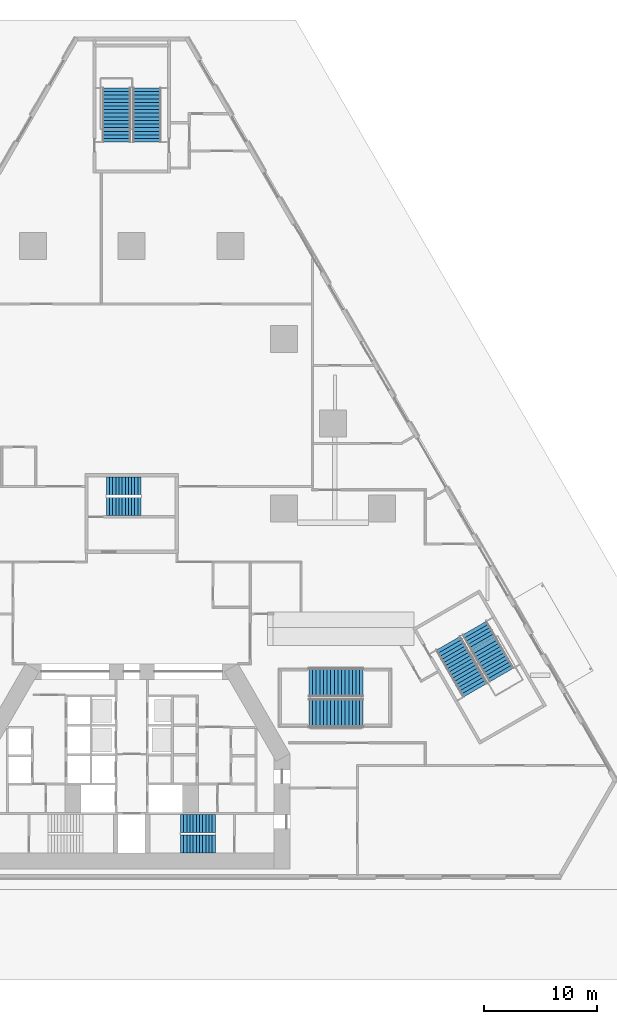
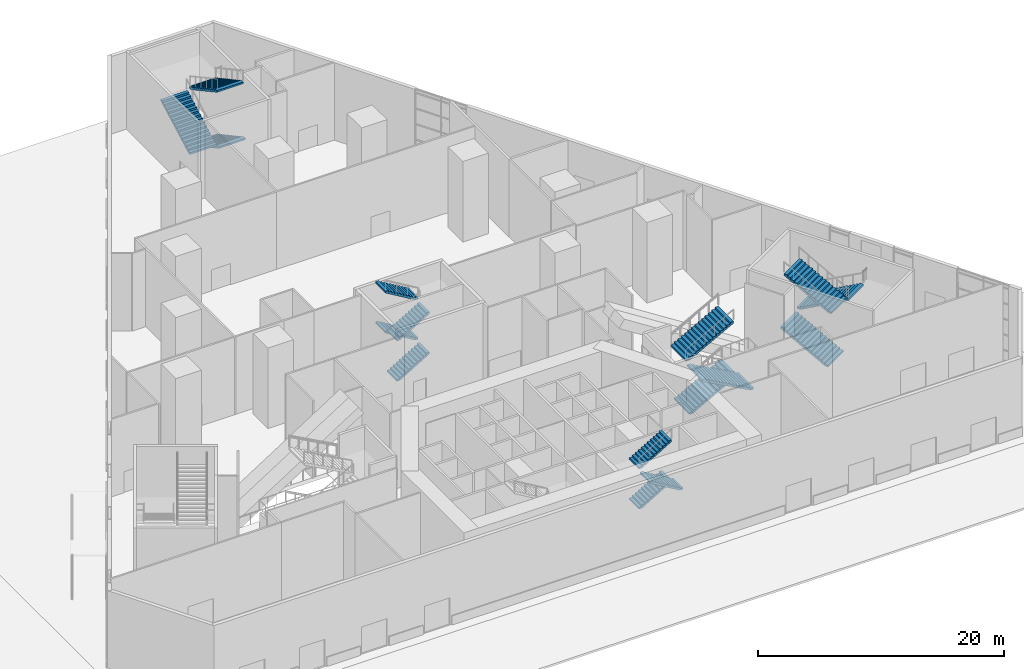
# One storey, part 19 of 24: 16 stair flights, 5 elements without a shape of their own.
"""IFC4 building model written with IfcOpenShell, lengths in metres."""

from ifc_helpers import new_model, si_unit, direction, frame, origin, place, context, subcontext, project, spatial, polyline, outline, extrude, material, type_object, element, aggregate, save


model = new_model("IFC4")

# Units and contexts
model_context = context("Model", 3, precision=1e-05, world=origin(), true_north=direction((0.0, 1.0)))
body_context = subcontext(model_context, "Body", "Model", "MODEL_VIEW")
ifc_project = project(units=[si_unit("LENGTHUNIT", "METRE"), si_unit("AREAUNIT", "SQUARE_METRE"), si_unit("VOLUMEUNIT", "CUBIC_METRE"), si_unit("PLANEANGLEUNIT", "RADIAN"), si_unit("MASSUNIT", "GRAM", prefix="KILO")], contexts=[model_context])

# Site, building, storey
site_placement = place(None, origin())
site = spatial("IfcSite", under=ifc_project, at=site_placement, CompositionType="ELEMENT")
building_placement = place(site_placement, origin())
building = spatial("IfcBuilding", under=site, at=building_placement, Name="Fogline Exchange Tower", CompositionType="ELEMENT")
storey_placement = place(building_placement, origin())
storey = spatial("IfcBuildingStorey", under=building, at=storey_placement, Name="L00", CompositionType="ELEMENT", Elevation=0.0)

# Stair, stair flights
ifc_material = material(Name="Concrete C40", Category="concrete")
stair_type_1 = type_object("IfcStairType", Name="PSF0-46-1739", PredefinedType="HALF_TURN_STAIR", material=ifc_material)
stair_1_placement = place(storey_placement, origin())
stair_1 = element("IfcStair", 1, at=stair_1_placement, inside=storey, type_object=stair_type_1, Name="Stair ST5", PredefinedType="HALF_TURN_STAIR")
stair_flight_type_1 = type_object("IfcStairFlightType", Name="PSF1-15-1739", PredefinedType="STRAIGHT", material=ifc_material)
stair_flight_1_placement = place(storey_placement, frame((30.265869140625, 16.937255859375, 0.0), z_axis=(0.0, 0.0, 1.0), x_axis=(-0.49997940255, 0.866037295401, 0.0)))
stair_flight_1 = element("IfcStairFlight", 2, at=stair_flight_1_placement, type_object=stair_flight_type_1, Name="ST5 flight 1", NumberOfRisers=15, NumberOfTreads=14, PredefinedType="STRAIGHT", RiserHeight=0.173913043, TreadLength=0.32, context=body_context, shape_type="SweptSolid", body=[
    extrude(outline(polyline([(0.0, 0.0), (0.0, 0.173828125), (0.320068359375, 0.173828125), (0.320068359375, 0.347900390625), (0.639892578125, 0.347900390625), (0.639892578125, 0.521728515625), (0.9599609375, 0.521728515625), (0.9599609375, 0.695556640625), (1.280029296875, 0.695556640625), (1.280029296875, 0.86962890625), (1.60009765625, 0.86962890625), (1.60009765625, 1.04345703125), (1.919921875, 1.04345703125), (1.919921875, 1.21728515625), (2.239990234375, 1.21728515625), (2.239990234375, 1.391357421875), (2.56005859375, 1.391357421875), (2.56005859375, 1.565185546875), (2.8798828125, 1.565185546875), (2.8798828125, 1.739013671875), (3.199951171875, 1.739013671875), (3.199951171875, 1.9130859375), (3.52001953125, 1.9130859375), (3.52001953125, 2.0869140625), (3.840087890625, 2.0869140625), (3.840087890625, 2.260986328125), (4.159912109375, 2.260986328125), (4.159912109375, 2.434814453125), (4.47998046875, 2.434814453125), (4.47998046875, 2.608642578125), (4.47998046875, 2.26416015625), (0.31396484375, 0.0), (0.0, 0.0)])), frame((0.0, 1.25, 0.0), z_axis=(0.0, -1.0, 0.0), x_axis=(1.0, 0.0, 0.0)), (0.0, 0.0, 1.0), 2.5),
])
stair_flight_2_placement = place(storey_placement, frame((30.42578125, 16.66015625, 5.391357421875), z_axis=(0.0, 0.0, 1.0), x_axis=(-0.49997940255, 0.866037295401, 0.0)))
stair_flight_2 = element("IfcStairFlight", 3, at=stair_flight_2_placement, type_object=stair_flight_type_1, Name="ST5 flight 3", NumberOfRisers=15, NumberOfTreads=14, PredefinedType="STRAIGHT", RiserHeight=0.173913043, TreadLength=0.32, context=body_context, shape_type="SweptSolid", body=[
    extrude(outline(polyline([(0.0, 0.0), (0.0, 0.173828125), (0.320068359375, 0.173828125), (0.320068359375, 0.347900390625), (0.639892578125, 0.347900390625), (0.639892578125, 0.521728515625), (0.9599609375, 0.521728515625), (0.9599609375, 0.695556640625), (1.280029296875, 0.695556640625), (1.280029296875, 0.86962890625), (1.60009765625, 0.86962890625), (1.60009765625, 1.04345703125), (1.919921875, 1.04345703125), (1.919921875, 1.21728515625), (2.239990234375, 1.21728515625), (2.239990234375, 1.391357421875), (2.56005859375, 1.391357421875), (2.56005859375, 1.565185546875), (2.8798828125, 1.565185546875), (2.8798828125, 1.739013671875), (3.199951171875, 1.739013671875), (3.199951171875, 1.9130859375), (3.52001953125, 1.9130859375), (3.52001953125, 2.0869140625), (3.840087890625, 2.0869140625), (3.840087890625, 2.260986328125), (4.159912109375, 2.260986328125), (4.159912109375, 2.434814453125), (4.47998046875, 2.434814453125), (4.47998046875, 2.608642578125), (4.47998046875, 2.26416015625), (0.31396484375, 0.0), (0.0, 0.0)])), frame((0.0, 1.25, 0.0), z_axis=(0.0, -1.0, 0.0), x_axis=(1.0, 0.0, 0.0)), (0.0, 0.0, 1.0), 2.5),
])

stair_2_placement = place(storey_placement, origin())
stair_2 = element("IfcStair", 4, at=stair_2_placement, inside=storey, type_object=stair_type_1, Name="Stair ST6", PredefinedType="HALF_TURN_STAIR")
stair_flight_3_placement = place(storey_placement, frame((1.35009765625, 69.6650390625, 0.0), z_axis=(0.0, 0.0, 1.0), x_axis=(0.0, -1.0, 0.0)))
stair_flight_3 = element("IfcStairFlight", 5, at=stair_flight_3_placement, type_object=stair_flight_type_1, Name="ST6 flight 1", NumberOfRisers=15, NumberOfTreads=14, PredefinedType="STRAIGHT", RiserHeight=0.173913043, TreadLength=0.32, context=body_context, shape_type="SweptSolid", body=[
    extrude(outline(polyline([(0.0, 0.0), (0.0, 0.173828125), (0.320068359375, 0.173828125), (0.320068359375, 0.347900390625), (0.639892578125, 0.347900390625), (0.639892578125, 0.521728515625), (0.9599609375, 0.521728515625), (0.9599609375, 0.695556640625), (1.280029296875, 0.695556640625), (1.280029296875, 0.86962890625), (1.60009765625, 0.86962890625), (1.60009765625, 1.04345703125), (1.919921875, 1.04345703125), (1.919921875, 1.21728515625), (2.239990234375, 1.21728515625), (2.239990234375, 1.391357421875), (2.56005859375, 1.391357421875), (2.56005859375, 1.565185546875), (2.8798828125, 1.565185546875), (2.8798828125, 1.739013671875), (3.199951171875, 1.739013671875), (3.199951171875, 1.9130859375), (3.52001953125, 1.9130859375), (3.52001953125, 2.0869140625), (3.840087890625, 2.0869140625), (3.840087890625, 2.260986328125), (4.159912109375, 2.260986328125), (4.159912109375, 2.434814453125), (4.47998046875, 2.434814453125), (4.47998046875, 2.608642578125), (4.47998046875, 2.26416015625), (0.31396484375, 0.0), (0.0, 0.0)])), frame((0.0, 1.25, 0.0), z_axis=(0.0, -1.0, 0.0), x_axis=(1.0, 0.0, 0.0)), (0.0, 0.0, 1.0), 2.5),
])
stair_flight_4_placement = place(storey_placement, frame((1.35009765625, 69.985107421875, 5.391357421875), z_axis=(0.0, 0.0, 1.0), x_axis=(0.0, -1.0, 0.0)))
stair_flight_4 = element("IfcStairFlight", 6, at=stair_flight_4_placement, type_object=stair_flight_type_1, Name="ST6 flight 3", NumberOfRisers=15, NumberOfTreads=14, PredefinedType="STRAIGHT", RiserHeight=0.173913043, TreadLength=0.32, context=body_context, shape_type="SweptSolid", body=[
    extrude(outline(polyline([(0.0, 0.0), (0.0, 0.173828125), (0.320068359375, 0.173828125), (0.320068359375, 0.347900390625), (0.639892578125, 0.347900390625), (0.639892578125, 0.521728515625), (0.9599609375, 0.521728515625), (0.9599609375, 0.695556640625), (1.280029296875, 0.695556640625), (1.280029296875, 0.86962890625), (1.60009765625, 0.86962890625), (1.60009765625, 1.04345703125), (1.919921875, 1.04345703125), (1.919921875, 1.21728515625), (2.239990234375, 1.21728515625), (2.239990234375, 1.391357421875), (2.56005859375, 1.391357421875), (2.56005859375, 1.565185546875), (2.8798828125, 1.565185546875), (2.8798828125, 1.739013671875), (3.199951171875, 1.739013671875), (3.199951171875, 1.9130859375), (3.52001953125, 1.9130859375), (3.52001953125, 2.0869140625), (3.840087890625, 2.0869140625), (3.840087890625, 2.260986328125), (4.159912109375, 2.260986328125), (4.159912109375, 2.434814453125), (4.47998046875, 2.434814453125), (4.47998046875, 2.608642578125), (4.47998046875, 2.26416015625), (0.31396484375, 0.0), (0.0, 0.0)])), frame((0.0, 1.25, 0.0), z_axis=(0.0, -1.0, 0.0), x_axis=(1.0, 0.0, 0.0)), (0.0, 0.0, 1.0), 2.5),
])

stair_3_placement = place(storey_placement, origin())
stair_3 = element("IfcStair", 7, at=stair_3_placement, inside=storey, type_object=stair_type_1, Name="Public stair PS2", PredefinedType="HALF_TURN_STAIR")
stair_flight_5_placement = place(storey_placement, frame((16.02001953125, 17.35009765625, 0.0), z_axis=(0.0, 0.0, 1.0), x_axis=(1.0, 0.0, 0.0)))
stair_flight_5 = element("IfcStairFlight", 8, at=stair_flight_5_placement, type_object=stair_flight_type_1, Name="PS2 flight 1", NumberOfRisers=15, NumberOfTreads=14, PredefinedType="STRAIGHT", RiserHeight=0.173913043, TreadLength=0.32, context=body_context, shape_type="SweptSolid", body=[
    extrude(outline(polyline([(0.0, 0.0), (0.0, 0.173828125), (0.320068359375, 0.173828125), (0.320068359375, 0.347900390625), (0.639892578125, 0.347900390625), (0.639892578125, 0.521728515625), (0.9599609375, 0.521728515625), (0.9599609375, 0.695556640625), (1.280029296875, 0.695556640625), (1.280029296875, 0.86962890625), (1.60009765625, 0.86962890625), (1.60009765625, 1.04345703125), (1.919921875, 1.04345703125), (1.919921875, 1.21728515625), (2.239990234375, 1.21728515625), (2.239990234375, 1.391357421875), (2.56005859375, 1.391357421875), (2.56005859375, 1.565185546875), (2.8798828125, 1.565185546875), (2.8798828125, 1.739013671875), (3.199951171875, 1.739013671875), (3.199951171875, 1.9130859375), (3.52001953125, 1.9130859375), (3.52001953125, 2.0869140625), (3.840087890625, 2.0869140625), (3.840087890625, 2.260986328125), (4.159912109375, 2.260986328125), (4.159912109375, 2.434814453125), (4.47998046875, 2.434814453125), (4.47998046875, 2.608642578125), (4.47998046875, 2.26416015625), (0.31396484375, 0.0), (0.0, 0.0)])), frame((0.0, 1.25, 0.0), z_axis=(0.0, -1.0, 0.0), x_axis=(1.0, 0.0, 0.0)), (0.0, 0.0, 1.0), 2.5),
])
stair_flight_6_placement = place(storey_placement, frame((15.699951171875, 17.35009765625, 5.391357421875), z_axis=(0.0, 0.0, 1.0), x_axis=(1.0, 0.0, 0.0)))
stair_flight_6 = element("IfcStairFlight", 9, at=stair_flight_6_placement, type_object=stair_flight_type_1, Name="PS2 flight 3", NumberOfRisers=15, NumberOfTreads=14, PredefinedType="STRAIGHT", RiserHeight=0.173913043, TreadLength=0.32, context=body_context, shape_type="SweptSolid", body=[
    extrude(outline(polyline([(0.0, 0.0), (0.0, 0.173828125), (0.320068359375, 0.173828125), (0.320068359375, 0.347900390625), (0.639892578125, 0.347900390625), (0.639892578125, 0.521728515625), (0.9599609375, 0.521728515625), (0.9599609375, 0.695556640625), (1.280029296875, 0.695556640625), (1.280029296875, 0.86962890625), (1.60009765625, 0.86962890625), (1.60009765625, 1.04345703125), (1.919921875, 1.04345703125), (1.919921875, 1.21728515625), (2.239990234375, 1.21728515625), (2.239990234375, 1.391357421875), (2.56005859375, 1.391357421875), (2.56005859375, 1.565185546875), (2.8798828125, 1.565185546875), (2.8798828125, 1.739013671875), (3.199951171875, 1.739013671875), (3.199951171875, 1.9130859375), (3.52001953125, 1.9130859375), (3.52001953125, 2.0869140625), (3.840087890625, 2.0869140625), (3.840087890625, 2.260986328125), (4.159912109375, 2.260986328125), (4.159912109375, 2.434814453125), (4.47998046875, 2.434814453125), (4.47998046875, 2.608642578125), (4.47998046875, 2.26416015625), (0.31396484375, 0.0), (0.0, 0.0)])), frame((0.0, 1.25, 0.0), z_axis=(0.0, -1.0, 0.0), x_axis=(1.0, 0.0, 0.0)), (0.0, 0.0, 1.0), 2.5),
])

# Stair flight
stair_flight_type_2 = type_object("IfcStairFlightType", Name="PSF1-16-1739", PredefinedType="STRAIGHT", material=ifc_material)
stair_flight_7_placement = place(storey_placement, frame((30.3642578125, 22.1669921875, 2.608642578125), z_axis=(0.0, 0.0, 1.0), x_axis=(0.49997940255, -0.866037295401, 0.0)))
stair_flight_7 = element("IfcStairFlight", 10, at=stair_flight_7_placement, type_object=stair_flight_type_2, Name="ST5 flight 2", NumberOfRisers=16, NumberOfTreads=15, PredefinedType="STRAIGHT", RiserHeight=0.173913043, TreadLength=0.32, context=body_context, shape_type="SweptSolid", body=[
    extrude(outline(polyline([(0.0, 0.0), (0.0, 0.173828125), (0.320068359375, 0.173828125), (0.320068359375, 0.347900390625), (0.639892578125, 0.347900390625), (0.639892578125, 0.521728515625), (0.9599609375, 0.521728515625), (0.9599609375, 0.695556640625), (1.280029296875, 0.695556640625), (1.280029296875, 0.86962890625), (1.60009765625, 0.86962890625), (1.60009765625, 1.04345703125), (1.919921875, 1.04345703125), (1.919921875, 1.21728515625), (2.239990234375, 1.21728515625), (2.239990234375, 1.391357421875), (2.56005859375, 1.391357421875), (2.56005859375, 1.565185546875), (2.8798828125, 1.565185546875), (2.8798828125, 1.739013671875), (3.199951171875, 1.739013671875), (3.199951171875, 1.9130859375), (3.52001953125, 1.9130859375), (3.52001953125, 2.0869140625), (3.840087890625, 2.0869140625), (3.840087890625, 2.260986328125), (4.159912109375, 2.260986328125), (4.159912109375, 2.434814453125), (4.47998046875, 2.434814453125), (4.47998046875, 2.608642578125), (4.800048828125, 2.608642578125), (4.800048828125, 2.78271484375), (4.800048828125, 2.43798828125), (0.31396484375, 0.0), (0.0, 0.0)])), frame((0.0, 1.25, 0.0), z_axis=(0.0, -1.0, 0.0), x_axis=(1.0, 0.0, 0.0)), (0.0, 0.0, 1.0), 2.5),
])

aggregate(stair_1, [stair_flight_1, stair_flight_7, stair_flight_2])

stair_flight_8_placement = place(storey_placement, frame((-1.35009765625, 65.18505859375, 2.608642578125), z_axis=(0.0, 0.0, 1.0), x_axis=(0.0, 1.0, 0.0)))
stair_flight_8 = element("IfcStairFlight", 11, at=stair_flight_8_placement, type_object=stair_flight_type_2, Name="ST6 flight 2", NumberOfRisers=16, NumberOfTreads=15, PredefinedType="STRAIGHT", RiserHeight=0.173913043, TreadLength=0.32, context=body_context, shape_type="SweptSolid", body=[
    extrude(outline(polyline([(0.0, 0.0), (0.0, 0.173828125), (0.320068359375, 0.173828125), (0.320068359375, 0.347900390625), (0.639892578125, 0.347900390625), (0.639892578125, 0.521728515625), (0.9599609375, 0.521728515625), (0.9599609375, 0.695556640625), (1.280029296875, 0.695556640625), (1.280029296875, 0.86962890625), (1.60009765625, 0.86962890625), (1.60009765625, 1.04345703125), (1.919921875, 1.04345703125), (1.919921875, 1.21728515625), (2.239990234375, 1.21728515625), (2.239990234375, 1.391357421875), (2.56005859375, 1.391357421875), (2.56005859375, 1.565185546875), (2.8798828125, 1.565185546875), (2.8798828125, 1.739013671875), (3.199951171875, 1.739013671875), (3.199951171875, 1.9130859375), (3.52001953125, 1.9130859375), (3.52001953125, 2.0869140625), (3.840087890625, 2.0869140625), (3.840087890625, 2.260986328125), (4.159912109375, 2.260986328125), (4.159912109375, 2.434814453125), (4.47998046875, 2.434814453125), (4.47998046875, 2.608642578125), (4.800048828125, 2.608642578125), (4.800048828125, 2.78271484375), (4.800048828125, 2.43798828125), (0.31396484375, 0.0), (0.0, 0.0)])), frame((0.0, 1.25, 0.0), z_axis=(0.0, -1.0, 0.0), x_axis=(1.0, 0.0, 0.0)), (0.0, 0.0, 1.0), 2.5),
])

aggregate(stair_2, [stair_flight_3, stair_flight_8, stair_flight_4])

stair_flight_9_placement = place(storey_placement, frame((20.5, 14.64990234375, 2.608642578125), z_axis=(0.0, 0.0, 1.0), x_axis=(-1.0, 0.0, 0.0)))
stair_flight_9 = element("IfcStairFlight", 12, at=stair_flight_9_placement, type_object=stair_flight_type_2, Name="PS2 flight 2", NumberOfRisers=16, NumberOfTreads=15, PredefinedType="STRAIGHT", RiserHeight=0.173913043, TreadLength=0.32, context=body_context, shape_type="SweptSolid", body=[
    extrude(outline(polyline([(0.0, 0.0), (0.0, 0.173828125), (0.320068359375, 0.173828125), (0.320068359375, 0.347900390625), (0.639892578125, 0.347900390625), (0.639892578125, 0.521728515625), (0.9599609375, 0.521728515625), (0.9599609375, 0.695556640625), (1.280029296875, 0.695556640625), (1.280029296875, 0.86962890625), (1.60009765625, 0.86962890625), (1.60009765625, 1.04345703125), (1.919921875, 1.04345703125), (1.919921875, 1.21728515625), (2.239990234375, 1.21728515625), (2.239990234375, 1.391357421875), (2.56005859375, 1.391357421875), (2.56005859375, 1.565185546875), (2.8798828125, 1.565185546875), (2.8798828125, 1.739013671875), (3.199951171875, 1.739013671875), (3.199951171875, 1.9130859375), (3.52001953125, 1.9130859375), (3.52001953125, 2.0869140625), (3.840087890625, 2.0869140625), (3.840087890625, 2.260986328125), (4.159912109375, 2.260986328125), (4.159912109375, 2.434814453125), (4.47998046875, 2.434814453125), (4.47998046875, 2.608642578125), (4.800048828125, 2.608642578125), (4.800048828125, 2.78271484375), (4.800048828125, 2.43798828125), (0.31396484375, 0.0), (0.0, 0.0)])), frame((0.0, 1.25, 0.0), z_axis=(0.0, -1.0, 0.0), x_axis=(1.0, 0.0, 0.0)), (0.0, 0.0, 1.0), 2.5),
])

aggregate(stair_3, [stair_flight_5, stair_flight_9, stair_flight_6])

# Stair, stair flights
stair_type_2 = type_object("IfcStairType", Name="STR48-1667", PredefinedType="HALF_TURN_STAIR", material=ifc_material)
stair_4_placement = place(storey_placement, origin())
stair_4 = element("IfcStair", 13, at=stair_4_placement, inside=storey, type_object=stair_type_2, Name="Stair ST2", PredefinedType="HALF_TURN_STAIR")
stair_flight_type_3 = type_object("IfcStairFlightType", Name="SF12-1667", PredefinedType="STRAIGHT", material=ifc_material)
stair_flight_10_placement = place(storey_placement, frame((4.320068359375, 4.85009765625, 2.0), z_axis=(0.0, 0.0, 1.0), x_axis=(1.0, 0.0, 0.0)))
stair_flight_10 = element("IfcStairFlight", 14, at=stair_flight_10_placement, type_object=stair_flight_type_3, Name="ST2 flight 2", NumberOfRisers=12, NumberOfTreads=11, PredefinedType="STRAIGHT", RiserHeight=0.166666667, TreadLength=0.28, context=body_context, shape_type="SweptSolid", body=[
    extrude(outline(polyline([(0.0, 0.0), (0.0, 0.166748046875), (0.280029296875, 0.166748046875), (0.280029296875, 0.333251953125), (0.56005859375, 0.333251953125), (0.56005859375, 0.5), (0.840087890625, 0.5), (0.840087890625, 0.666748046875), (1.1201171875, 0.666748046875), (1.1201171875, 0.833251953125), (1.39990234375, 0.833251953125), (1.39990234375, 1.0), (1.679931640625, 1.0), (1.679931640625, 1.166748046875), (1.9599609375, 1.166748046875), (1.9599609375, 1.333251953125), (2.239990234375, 1.333251953125), (2.239990234375, 1.5), (2.52001953125, 1.5), (2.52001953125, 1.666748046875), (2.800048828125, 1.666748046875), (2.800048828125, 1.833251953125), (3.080078125, 1.833251953125), (3.080078125, 2.0), (3.080078125, 1.658935546875), (0.29296875, 0.0), (0.0, 0.0)])), frame((0.0, 0.800048828125, 0.0), z_axis=(0.0, -1.0, 0.0), x_axis=(1.0, 0.0, 0.0)), (0.0, 0.0, 1.0), 1.60009765625),
])
stair_flight_11_placement = place(storey_placement, frame((7.39990234375, 3.050048828125, 4.0), z_axis=(0.0, 0.0, 1.0), x_axis=(-1.0, 0.0, 0.0)))
stair_flight_11 = element("IfcStairFlight", 15, at=stair_flight_11_placement, type_object=stair_flight_type_3, Name="ST2 flight 3", NumberOfRisers=12, NumberOfTreads=11, PredefinedType="STRAIGHT", RiserHeight=0.166666667, TreadLength=0.28, context=body_context, shape_type="SweptSolid", body=[
    extrude(outline(polyline([(0.0, 0.0), (0.0, 0.166748046875), (0.280029296875, 0.166748046875), (0.280029296875, 0.333251953125), (0.56005859375, 0.333251953125), (0.56005859375, 0.5), (0.840087890625, 0.5), (0.840087890625, 0.666748046875), (1.1201171875, 0.666748046875), (1.1201171875, 0.833251953125), (1.39990234375, 0.833251953125), (1.39990234375, 1.0), (1.679931640625, 1.0), (1.679931640625, 1.166748046875), (1.9599609375, 1.166748046875), (1.9599609375, 1.333251953125), (2.239990234375, 1.333251953125), (2.239990234375, 1.5), (2.52001953125, 1.5), (2.52001953125, 1.666748046875), (2.800048828125, 1.666748046875), (2.800048828125, 1.833251953125), (3.080078125, 1.833251953125), (3.080078125, 2.0), (3.080078125, 1.658935546875), (0.29296875, 0.0), (0.0, 0.0)])), frame((0.0, 0.800048828125, 0.0), z_axis=(0.0, -1.0, 0.0), x_axis=(1.0, 0.0, 0.0)), (0.0, 0.0, 1.0), 1.60009765625),
])
stair_flight_12_placement = place(storey_placement, frame((4.320068359375, 4.85009765625, 6.0), z_axis=(0.0, 0.0, 1.0), x_axis=(1.0, 0.0, 0.0)))
stair_flight_12 = element("IfcStairFlight", 16, at=stair_flight_12_placement, type_object=stair_flight_type_3, Name="ST2 flight 4", NumberOfRisers=12, NumberOfTreads=11, PredefinedType="STRAIGHT", RiserHeight=0.166666667, TreadLength=0.28, context=body_context, shape_type="SweptSolid", body=[
    extrude(outline(polyline([(0.0, 0.0), (0.0, 0.166748046875), (0.280029296875, 0.166748046875), (0.280029296875, 0.333251953125), (0.56005859375, 0.333251953125), (0.56005859375, 0.5), (0.840087890625, 0.5), (0.840087890625, 0.666748046875), (1.1201171875, 0.666748046875), (1.1201171875, 0.833251953125), (1.39990234375, 0.833251953125), (1.39990234375, 1.0), (1.679931640625, 1.0), (1.679931640625, 1.166748046875), (1.9599609375, 1.166748046875), (1.9599609375, 1.333251953125), (2.239990234375, 1.333251953125), (2.239990234375, 1.5), (2.52001953125, 1.5), (2.52001953125, 1.666748046875), (2.800048828125, 1.666748046875), (2.800048828125, 1.833251953125), (3.080078125, 1.833251953125), (3.080078125, 2.0), (3.080078125, 1.658935546875), (0.29296875, 0.0), (0.0, 0.0)])), frame((0.0, 0.800048828125, 0.0), z_axis=(0.0, -1.0, 0.0), x_axis=(1.0, 0.0, 0.0)), (0.0, 0.0, 1.0), 1.60009765625),
])
aggregate(stair_4, [stair_flight_10, stair_flight_11, stair_flight_12])

stair_5_placement = place(storey_placement, origin())
stair_5 = element("IfcStair", 17, at=stair_5_placement, inside=storey, type_object=stair_type_2, Name="Stair ST3", PredefinedType="HALF_TURN_STAIR")
stair_flight_13_placement = place(storey_placement, frame((-2.25, 32.906982421875, 0.0), z_axis=(0.0, 0.0, 1.0), x_axis=(1.0, 0.0, 0.0)))
stair_flight_13 = element("IfcStairFlight", 18, at=stair_flight_13_placement, type_object=stair_flight_type_3, Name="ST3 flight 1", NumberOfRisers=12, NumberOfTreads=11, PredefinedType="STRAIGHT", RiserHeight=0.166666667, TreadLength=0.28, context=body_context, shape_type="SweptSolid", body=[
    extrude(outline(polyline([(0.0, 0.0), (0.0, 0.166748046875), (0.280029296875, 0.166748046875), (0.280029296875, 0.333251953125), (0.56005859375, 0.333251953125), (0.56005859375, 0.5), (0.840087890625, 0.5), (0.840087890625, 0.666748046875), (1.1201171875, 0.666748046875), (1.1201171875, 0.833251953125), (1.39990234375, 0.833251953125), (1.39990234375, 1.0), (1.679931640625, 1.0), (1.679931640625, 1.166748046875), (1.9599609375, 1.166748046875), (1.9599609375, 1.333251953125), (2.239990234375, 1.333251953125), (2.239990234375, 1.5), (2.52001953125, 1.5), (2.52001953125, 1.666748046875), (2.800048828125, 1.666748046875), (2.800048828125, 1.833251953125), (3.080078125, 1.833251953125), (3.080078125, 2.0), (3.080078125, 1.658935546875), (0.29296875, 0.0), (0.0, 0.0)])), frame((0.0, 0.800048828125, 0.0), z_axis=(0.0, -1.0, 0.0), x_axis=(1.0, 0.0, 0.0)), (0.0, 0.0, 1.0), 1.60009765625),
])
stair_flight_14_placement = place(storey_placement, frame((0.830078125, 34.757080078125, 2.0), z_axis=(0.0, 0.0, 1.0), x_axis=(-1.0, 0.0, 0.0)))
stair_flight_14 = element("IfcStairFlight", 19, at=stair_flight_14_placement, type_object=stair_flight_type_3, Name="ST3 flight 2", NumberOfRisers=12, NumberOfTreads=11, PredefinedType="STRAIGHT", RiserHeight=0.166666667, TreadLength=0.28, context=body_context, shape_type="SweptSolid", body=[
    extrude(outline(polyline([(0.0, 0.0), (0.0, 0.166748046875), (0.280029296875, 0.166748046875), (0.280029296875, 0.333251953125), (0.56005859375, 0.333251953125), (0.56005859375, 0.5), (0.840087890625, 0.5), (0.840087890625, 0.666748046875), (1.1201171875, 0.666748046875), (1.1201171875, 0.833251953125), (1.39990234375, 0.833251953125), (1.39990234375, 1.0), (1.679931640625, 1.0), (1.679931640625, 1.166748046875), (1.9599609375, 1.166748046875), (1.9599609375, 1.333251953125), (2.239990234375, 1.333251953125), (2.239990234375, 1.5), (2.52001953125, 1.5), (2.52001953125, 1.666748046875), (2.800048828125, 1.666748046875), (2.800048828125, 1.833251953125), (3.080078125, 1.833251953125), (3.080078125, 2.0), (3.080078125, 1.658935546875), (0.29296875, 0.0), (0.0, 0.0)])), frame((0.0, 0.800048828125, 0.0), z_axis=(0.0, -1.0, 0.0), x_axis=(1.0, 0.0, 0.0)), (0.0, 0.0, 1.0), 1.60009765625),
])
stair_flight_15_placement = place(storey_placement, frame((-2.25, 32.906982421875, 4.0), z_axis=(0.0, 0.0, 1.0), x_axis=(1.0, 0.0, 0.0)))
stair_flight_15 = element("IfcStairFlight", 20, at=stair_flight_15_placement, type_object=stair_flight_type_3, Name="ST3 flight 3", NumberOfRisers=12, NumberOfTreads=11, PredefinedType="STRAIGHT", RiserHeight=0.166666667, TreadLength=0.28, context=body_context, shape_type="SweptSolid", body=[
    extrude(outline(polyline([(0.0, 0.0), (0.0, 0.166748046875), (0.280029296875, 0.166748046875), (0.280029296875, 0.333251953125), (0.56005859375, 0.333251953125), (0.56005859375, 0.5), (0.840087890625, 0.5), (0.840087890625, 0.666748046875), (1.1201171875, 0.666748046875), (1.1201171875, 0.833251953125), (1.39990234375, 0.833251953125), (1.39990234375, 1.0), (1.679931640625, 1.0), (1.679931640625, 1.166748046875), (1.9599609375, 1.166748046875), (1.9599609375, 1.333251953125), (2.239990234375, 1.333251953125), (2.239990234375, 1.5), (2.52001953125, 1.5), (2.52001953125, 1.666748046875), (2.800048828125, 1.666748046875), (2.800048828125, 1.833251953125), (3.080078125, 1.833251953125), (3.080078125, 2.0), (3.080078125, 1.658935546875), (0.29296875, 0.0), (0.0, 0.0)])), frame((0.0, 0.800048828125, 0.0), z_axis=(0.0, -1.0, 0.0), x_axis=(1.0, 0.0, 0.0)), (0.0, 0.0, 1.0), 1.60009765625),
])
stair_flight_16_placement = place(storey_placement, frame((0.830078125, 34.757080078125, 6.0), z_axis=(0.0, 0.0, 1.0), x_axis=(-1.0, 0.0, 0.0)))
stair_flight_16 = element("IfcStairFlight", 21, at=stair_flight_16_placement, type_object=stair_flight_type_3, Name="ST3 flight 4", NumberOfRisers=12, NumberOfTreads=11, PredefinedType="STRAIGHT", RiserHeight=0.166666667, TreadLength=0.28, context=body_context, shape_type="SweptSolid", body=[
    extrude(outline(polyline([(0.0, 0.0), (0.0, 0.166748046875), (0.280029296875, 0.166748046875), (0.280029296875, 0.333251953125), (0.56005859375, 0.333251953125), (0.56005859375, 0.5), (0.840087890625, 0.5), (0.840087890625, 0.666748046875), (1.1201171875, 0.666748046875), (1.1201171875, 0.833251953125), (1.39990234375, 0.833251953125), (1.39990234375, 1.0), (1.679931640625, 1.0), (1.679931640625, 1.166748046875), (1.9599609375, 1.166748046875), (1.9599609375, 1.333251953125), (2.239990234375, 1.333251953125), (2.239990234375, 1.5), (2.52001953125, 1.5), (2.52001953125, 1.666748046875), (2.800048828125, 1.666748046875), (2.800048828125, 1.833251953125), (3.080078125, 1.833251953125), (3.080078125, 2.0), (3.080078125, 1.658935546875), (0.29296875, 0.0), (0.0, 0.0)])), frame((0.0, 0.800048828125, 0.0), z_axis=(0.0, -1.0, 0.0), x_axis=(1.0, 0.0, 0.0)), (0.0, 0.0, 1.0), 1.60009765625),
])
aggregate(stair_5, [stair_flight_13, stair_flight_14, stair_flight_15, stair_flight_16])

save(model, "model.ifc")
